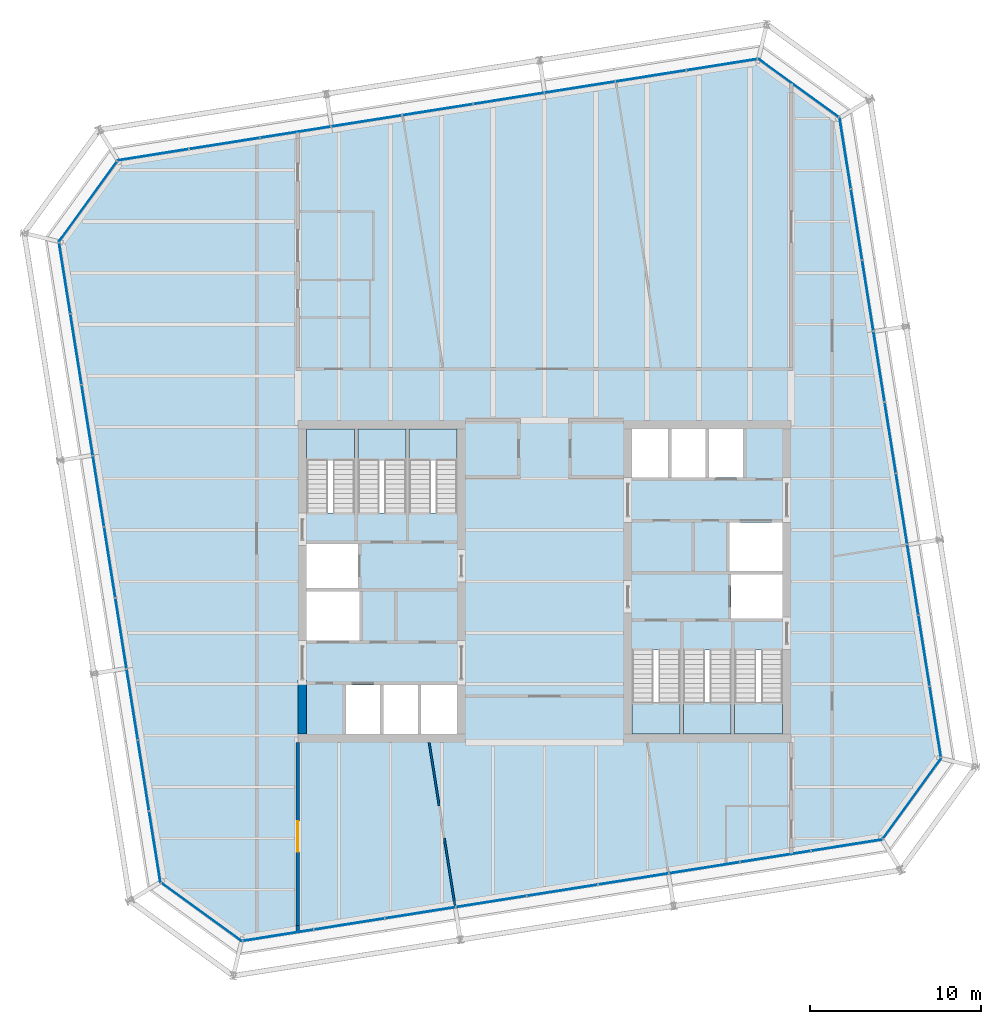
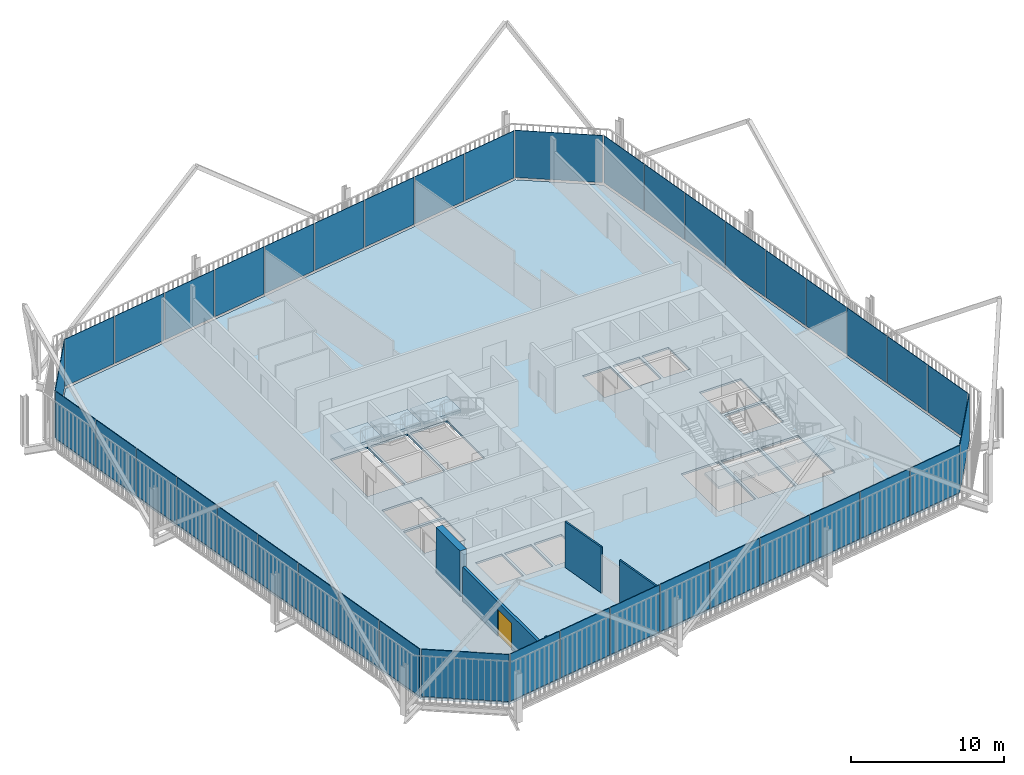
# One storey, part 16 of 21: 40 plates, 7 slabs, 5 walls, 1 door, 1 opening, 14 elements without a shape of their own.
"""IFC4 building model written with IfcOpenShell, lengths in metres."""

from ifc_helpers import new_model, si_unit, direction, frame, frame_2d, origin, place, context, subcontext, project, spatial, polyline, rectangle, outline, extrude, material, layer, layer_set, type_object, element, fill, aggregate, save


model = new_model("IFC4")

# Units and contexts
model_context = context("Model", 3, precision=1e-05, world=origin(), true_north=direction((0.0, 1.0)))
body_context = subcontext(model_context, "Body", "Model", "MODEL_VIEW")
ifc_project = project(units=[si_unit("LENGTHUNIT", "METRE"), si_unit("AREAUNIT", "SQUARE_METRE"), si_unit("VOLUMEUNIT", "CUBIC_METRE"), si_unit("PLANEANGLEUNIT", "RADIAN"), si_unit("MASSUNIT", "GRAM", prefix="KILO")], contexts=[model_context])

# Site, building, storey
site_placement = place(None, origin())
site = spatial("IfcSite", under=ifc_project, at=site_placement, CompositionType="ELEMENT")
building_placement = place(site_placement, origin())
building = spatial("IfcBuilding", under=site, at=building_placement, Name="Millrace Tower", CompositionType="ELEMENT")
storey_placement = place(building_placement, frame((0.0, 0.0, 235.89990234375)))
storey = spatial("IfcBuildingStorey", under=building, at=storey_placement, Name="L54", CompositionType="ELEMENT", Elevation=235.89990234375)

# Curtain wall, plate
ifc_material_1 = material(Name="Aluminium and glass", Category="aluminium")
ifc_layer_1 = layer(ifc_material_1, 0.14990234375)
ifc_layer_set_1 = layer_set([ifc_layer_1], Name="Aluminium and glass")
curtain_wall_type = type_object("IfcCurtainWallType", Name="CW-1 office vision curtain wall", PredefinedType="NOTDEFINED", material=ifc_layer_set_1)
placement_1 = place(storey_placement, origin())
curtain_wall_1 = element("IfcCurtainWall", 1, at=placement_1, inside=storey, type_object=curtain_wall_type, Name="Curtain wall D-F01 L54", PredefinedType="NOTDEFINED")
ifc_material_2 = material(Name="Glass", Category="glass")
ifc_layer_2 = layer(ifc_material_2, 0.0439453125)
ifc_layer_set_2 = layer_set([ifc_layer_2], Name="Glass")
plate_type = type_object("IfcPlateType", Name="CW-1 office vision curtain wall triple-glazed vision panel", PredefinedType="CURTAIN_PANEL", material=ifc_layer_set_2)
placement_2 = place(storey_placement, frame((0.0, 0.0, 0.14013671875)))
plate_1 = element("IfcPlate", 2, at=placement_2, type_object=plate_type, Name="CW1 panel D-F01.1", PredefinedType="CURTAIN_PANEL", context=body_context, shape_type="SweptSolid", body=[
    extrude(outline(polyline([(-22.36474609375, -17.632080078125), (-17.69384765625, -21.025634765625), (-17.6826171875, -20.979248046875), (-22.3388671875, -17.596435546875), (-22.36474609375, -17.632080078125)])), origin(), (0.0, 0.0, 1.0), 3.760009765625),
])
aggregate(curtain_wall_1, [plate_1])

# Curtain wall, plates
curtain_wall_2 = element("IfcCurtainWall", 3, at=placement_1, inside=storey, type_object=curtain_wall_type, Name="Curtain wall D-F02 L54", PredefinedType="NOTDEFINED")
plate_2 = element("IfcPlate", 4, at=placement_2, type_object=plate_type, Name="CW1 panel D-F02.1", PredefinedType="CURTAIN_PANEL", context=body_context, shape_type="SweptSolid", body=[
    extrude(outline(polyline([(-17.58984375, -21.009033203125), (-13.505859375, -20.3623046875), (-13.5126953125, -20.31884765625), (-17.596923828125, -20.965576171875), (-17.58984375, -21.009033203125)])), origin(), (0.0, 0.0, 1.0), 3.760009765625),
])
plate_3 = element("IfcPlate", 5, at=placement_2, type_object=plate_type, Name="CW1 panel D-F02.2", PredefinedType="CURTAIN_PANEL", context=body_context, shape_type="SweptSolid", body=[
    extrude(outline(polyline([(-13.441650390625, -20.35205078125), (-9.357666015625, -19.705078125), (-9.364501953125, -19.66162109375), (-13.448486328125, -20.30859375), (-13.441650390625, -20.35205078125)])), origin(), (0.0, 0.0, 1.0), 3.760009765625),
])
plate_4 = element("IfcPlate", 6, at=placement_2, type_object=plate_type, Name="CW1 panel D-F02.3", PredefinedType="CURTAIN_PANEL", context=body_context, shape_type="SweptSolid", body=[
    extrude(outline(polyline([(-9.29345703125, -19.695068359375), (-5.209228515625, -19.048095703125), (-5.216064453125, -19.004638671875), (-9.30029296875, -19.651611328125), (-9.29345703125, -19.695068359375)])), origin(), (0.0, 0.0, 1.0), 3.760009765625),
])
plate_5 = element("IfcPlate", 7, at=placement_2, type_object=plate_type, Name="CW1 panel D-F02.4", PredefinedType="CURTAIN_PANEL", context=body_context, shape_type="SweptSolid", body=[
    extrude(outline(polyline([(-5.14501953125, -19.0380859375), (-1.06103515625, -18.39111328125), (-1.06787109375, -18.34765625), (-5.15185546875, -18.99462890625), (-5.14501953125, -19.0380859375)])), origin(), (0.0, 0.0, 1.0), 3.760009765625),
])
plate_6 = element("IfcPlate", 8, at=placement_2, type_object=plate_type, Name="CW1 panel D-F02.5", PredefinedType="CURTAIN_PANEL", context=body_context, shape_type="SweptSolid", body=[
    extrude(outline(polyline([(-0.996826171875, -18.380859375), (3.08740234375, -17.734130859375), (3.080322265625, -17.690673828125), (-1.003662109375, -18.33740234375), (-0.996826171875, -18.380859375)])), origin(), (0.0, 0.0, 1.0), 3.760009765625),
])
plate_7 = element("IfcPlate", 9, at=placement_2, type_object=plate_type, Name="CW1 panel D-F02.6", PredefinedType="CURTAIN_PANEL", context=body_context, shape_type="SweptSolid", body=[
    extrude(outline(polyline([(3.151611328125, -17.723876953125), (7.235595703125, -17.0771484375), (7.228759765625, -17.03369140625), (3.14453125, -17.680419921875), (3.151611328125, -17.723876953125)])), origin(), (0.0, 0.0, 1.0), 3.760009765625),
])
plate_8 = element("IfcPlate", 10, at=placement_2, type_object=plate_type, Name="CW1 panel D-F02.7", PredefinedType="CURTAIN_PANEL", context=body_context, shape_type="SweptSolid", body=[
    extrude(outline(polyline([(7.2998046875, -17.06689453125), (11.3837890625, -16.420166015625), (11.376953125, -16.376708984375), (7.29296875, -17.0234375), (7.2998046875, -17.06689453125)])), origin(), (0.0, 0.0, 1.0), 3.760009765625),
])
plate_9 = element("IfcPlate", 11, at=placement_2, type_object=plate_type, Name="CW1 panel D-F02.8", PredefinedType="CURTAIN_PANEL", context=body_context, shape_type="SweptSolid", body=[
    extrude(outline(polyline([(11.447998046875, -16.409912109375), (15.5322265625, -15.762939453125), (15.525390625, -15.719482421875), (11.441162109375, -16.366455078125), (11.447998046875, -16.409912109375)])), origin(), (0.0, 0.0, 1.0), 3.760009765625),
])
plate_10 = element("IfcPlate", 12, at=placement_2, type_object=plate_type, Name="CW1 panel D-F02.9", PredefinedType="CURTAIN_PANEL", context=body_context, shape_type="SweptSolid", body=[
    extrude(outline(polyline([(15.596435546875, -15.7529296875), (19.72021484375, -15.099853515625), (19.6953125, -15.05908203125), (15.589599609375, -15.70947265625), (15.596435546875, -15.7529296875)])), origin(), (0.0, 0.0, 1.0), 3.760009765625),
])
aggregate(curtain_wall_2, [plate_2, plate_3, plate_4, plate_5, plate_6, plate_7, plate_8, plate_9, plate_10])

# Curtain wall, plate
curtain_wall_3 = element("IfcCurtainWall", 13, at=placement_1, inside=storey, type_object=curtain_wall_type, Name="Curtain wall D-F03 L54", PredefinedType="NOTDEFINED")
plate_11 = element("IfcPlate", 14, at=placement_2, type_object=plate_type, Name="CW1 panel D-F03.1", PredefinedType="CURTAIN_PANEL", context=body_context, shape_type="SweptSolid", body=[
    extrude(outline(polyline([(19.781982421875, -15.0146484375), (23.175537109375, -10.34375), (23.129150390625, -10.332763671875), (19.746337890625, -14.98876953125), (19.781982421875, -15.0146484375)])), origin(), (0.0, 0.0, 1.0), 3.760009765625),
])
aggregate(curtain_wall_3, [plate_11])

# Curtain wall, plates
curtain_wall_4 = element("IfcCurtainWall", 15, at=placement_1, inside=storey, type_object=curtain_wall_type, Name="Curtain wall D-F04 L54", PredefinedType="NOTDEFINED")
plate_12 = element("IfcPlate", 16, at=placement_2, type_object=plate_type, Name="CW1 panel D-F04.1", PredefinedType="CURTAIN_PANEL", context=body_context, shape_type="SweptSolid", body=[
    extrude(outline(polyline([(23.1591796875, -10.239990234375), (22.51220703125, -6.15576171875), (22.46875, -6.162841796875), (23.11572265625, -10.246826171875), (23.1591796875, -10.239990234375)])), origin(), (0.0, 0.0, 1.0), 3.760009765625),
])
plate_13 = element("IfcPlate", 17, at=placement_2, type_object=plate_type, Name="CW1 panel D-F04.2", PredefinedType="CURTAIN_PANEL", context=body_context, shape_type="SweptSolid", body=[
    extrude(outline(polyline([(22.501953125, -6.091552734375), (21.855224609375, -2.007568359375), (21.811767578125, -2.014404296875), (22.45849609375, -6.0986328125), (22.501953125, -6.091552734375)])), origin(), (0.0, 0.0, 1.0), 3.760009765625),
])
plate_14 = element("IfcPlate", 18, at=placement_2, type_object=plate_type, Name="CW1 panel D-F04.3", PredefinedType="CURTAIN_PANEL", context=body_context, shape_type="SweptSolid", body=[
    extrude(outline(polyline([(21.844970703125, -1.943359375), (21.1982421875, 2.140625), (21.15478515625, 2.1337890625), (21.801513671875, -1.9501953125), (21.844970703125, -1.943359375)])), origin(), (0.0, 0.0, 1.0), 3.760009765625),
])
plate_15 = element("IfcPlate", 19, at=placement_2, type_object=plate_type, Name="CW1 panel D-F04.4", PredefinedType="CURTAIN_PANEL", context=body_context, shape_type="SweptSolid", body=[
    extrude(outline(polyline([(21.18798828125, 2.204833984375), (20.541259765625, 6.2890625), (20.497802734375, 6.2822265625), (21.14453125, 2.197998046875), (21.18798828125, 2.204833984375)])), origin(), (0.0, 0.0, 1.0), 3.760009765625),
])
plate_16 = element("IfcPlate", 20, at=placement_2, type_object=plate_type, Name="CW1 panel D-F04.5", PredefinedType="CURTAIN_PANEL", context=body_context, shape_type="SweptSolid", body=[
    extrude(outline(polyline([(20.531005859375, 6.353271484375), (19.884033203125, 10.437255859375), (19.840576171875, 10.430419921875), (20.487548828125, 6.346435546875), (20.531005859375, 6.353271484375)])), origin(), (0.0, 0.0, 1.0), 3.760009765625),
])
plate_17 = element("IfcPlate", 21, at=placement_2, type_object=plate_type, Name="CW1 panel D-F04.6", PredefinedType="CURTAIN_PANEL", context=body_context, shape_type="SweptSolid", body=[
    extrude(outline(polyline([(19.8740234375, 10.50146484375), (19.22705078125, 14.585693359375), (19.18359375, 14.57861328125), (19.83056640625, 10.49462890625), (19.8740234375, 10.50146484375)])), origin(), (0.0, 0.0, 1.0), 3.760009765625),
])
plate_18 = element("IfcPlate", 22, at=placement_2, type_object=plate_type, Name="CW1 panel D-F04.7", PredefinedType="CURTAIN_PANEL", context=body_context, shape_type="SweptSolid", body=[
    extrude(outline(polyline([(19.217041015625, 14.64990234375), (18.570068359375, 18.73388671875), (18.526611328125, 18.72705078125), (19.173583984375, 14.642822265625), (19.217041015625, 14.64990234375)])), origin(), (0.0, 0.0, 1.0), 3.760009765625),
])
plate_19 = element("IfcPlate", 23, at=placement_2, type_object=plate_type, Name="CW1 panel D-F04.8", PredefinedType="CURTAIN_PANEL", context=body_context, shape_type="SweptSolid", body=[
    extrude(outline(polyline([(18.559814453125, 18.798095703125), (17.9130859375, 22.882080078125), (17.86962890625, 22.875244140625), (18.516357421875, 18.791259765625), (18.559814453125, 18.798095703125)])), origin(), (0.0, 0.0, 1.0), 3.760009765625),
])
plate_20 = element("IfcPlate", 24, at=placement_2, type_object=plate_type, Name="CW1 panel D-F04.9", PredefinedType="CURTAIN_PANEL", context=body_context, shape_type="SweptSolid", body=[
    extrude(outline(polyline([(17.90283203125, 22.9462890625), (17.249755859375, 27.070068359375), (17.209228515625, 27.045166015625), (17.859375, 22.939453125), (17.90283203125, 22.9462890625)])), origin(), (0.0, 0.0, 1.0), 3.760009765625),
])
aggregate(curtain_wall_4, [plate_12, plate_13, plate_14, plate_15, plate_16, plate_17, plate_18, plate_19, plate_20])

# Curtain wall, plate
curtain_wall_5 = element("IfcCurtainWall", 25, at=placement_1, inside=storey, type_object=curtain_wall_type, Name="Curtain wall D-F05 L54", PredefinedType="NOTDEFINED")
plate_21 = element("IfcPlate", 26, at=placement_2, type_object=plate_type, Name="CW1 panel D-F05.1", PredefinedType="CURTAIN_PANEL", context=body_context, shape_type="SweptSolid", body=[
    extrude(outline(polyline([(17.16455078125, 27.132080078125), (12.493896484375, 30.525634765625), (12.482666015625, 30.479248046875), (17.138671875, 27.096435546875), (17.16455078125, 27.132080078125)])), origin(), (0.0, 0.0, 1.0), 3.760009765625),
])
aggregate(curtain_wall_5, [plate_21])

# Curtain wall, plates
curtain_wall_6 = element("IfcCurtainWall", 27, at=placement_1, inside=storey, type_object=curtain_wall_type, Name="Curtain wall D-F06 L54", PredefinedType="NOTDEFINED")
plate_22 = element("IfcPlate", 28, at=placement_2, type_object=plate_type, Name="CW1 panel D-F06.1", PredefinedType="CURTAIN_PANEL", context=body_context, shape_type="SweptSolid", body=[
    extrude(outline(polyline([(12.389892578125, 30.509033203125), (8.305908203125, 29.8623046875), (8.312744140625, 29.81884765625), (12.396728515625, 30.465576171875), (12.389892578125, 30.509033203125)])), origin(), (0.0, 0.0, 1.0), 3.760009765625),
])
plate_23 = element("IfcPlate", 29, at=placement_2, type_object=plate_type, Name="CW1 panel D-F06.2", PredefinedType="CURTAIN_PANEL", context=body_context, shape_type="SweptSolid", body=[
    extrude(outline(polyline([(8.24169921875, 29.85205078125), (4.157470703125, 29.205078125), (4.16455078125, 29.16162109375), (8.24853515625, 29.80859375), (8.24169921875, 29.85205078125)])), origin(), (0.0, 0.0, 1.0), 3.760009765625),
])
plate_24 = element("IfcPlate", 30, at=placement_2, type_object=plate_type, Name="CW1 panel D-F06.3", PredefinedType="CURTAIN_PANEL", context=body_context, shape_type="SweptSolid", body=[
    extrude(outline(polyline([(4.09326171875, 29.195068359375), (0.00927734375, 28.548095703125), (0.01611328125, 28.504638671875), (4.100341796875, 29.151611328125), (4.09326171875, 29.195068359375)])), origin(), (0.0, 0.0, 1.0), 3.760009765625),
])
plate_25 = element("IfcPlate", 31, at=placement_2, type_object=plate_type, Name="CW1 panel D-F06.4", PredefinedType="CURTAIN_PANEL", context=body_context, shape_type="SweptSolid", body=[
    extrude(outline(polyline([(-0.054931640625, 28.5380859375), (-4.138916015625, 27.89111328125), (-4.132080078125, 27.84765625), (-0.048095703125, 28.49462890625), (-0.054931640625, 28.5380859375)])), origin(), (0.0, 0.0, 1.0), 3.760009765625),
])
plate_26 = element("IfcPlate", 32, at=placement_2, type_object=plate_type, Name="CW1 panel D-F06.5", PredefinedType="CURTAIN_PANEL", context=body_context, shape_type="SweptSolid", body=[
    extrude(outline(polyline([(-4.203125, 27.880859375), (-8.287353515625, 27.234130859375), (-8.280517578125, 27.190673828125), (-4.1962890625, 27.83740234375), (-4.203125, 27.880859375)])), origin(), (0.0, 0.0, 1.0), 3.760009765625),
])
plate_27 = element("IfcPlate", 33, at=placement_2, type_object=plate_type, Name="CW1 panel D-F06.6", PredefinedType="CURTAIN_PANEL", context=body_context, shape_type="SweptSolid", body=[
    extrude(outline(polyline([(-8.3515625, 27.223876953125), (-12.435546875, 26.5771484375), (-12.4287109375, 26.53369140625), (-8.3447265625, 27.180419921875), (-8.3515625, 27.223876953125)])), origin(), (0.0, 0.0, 1.0), 3.760009765625),
])
plate_28 = element("IfcPlate", 34, at=placement_2, type_object=plate_type, Name="CW1 panel D-F06.7", PredefinedType="CURTAIN_PANEL", context=body_context, shape_type="SweptSolid", body=[
    extrude(outline(polyline([(-12.499755859375, 26.56689453125), (-16.583984375, 25.920166015625), (-16.576904296875, 25.876708984375), (-12.492919921875, 26.5234375), (-12.499755859375, 26.56689453125)])), origin(), (0.0, 0.0, 1.0), 3.760009765625),
])
plate_29 = element("IfcPlate", 35, at=placement_2, type_object=plate_type, Name="CW1 panel D-F06.8", PredefinedType="CURTAIN_PANEL", context=body_context, shape_type="SweptSolid", body=[
    extrude(outline(polyline([(-16.648193359375, 25.909912109375), (-20.732177734375, 25.262939453125), (-20.725341796875, 25.219482421875), (-16.64111328125, 25.866455078125), (-16.648193359375, 25.909912109375)])), origin(), (0.0, 0.0, 1.0), 3.760009765625),
])
plate_30 = element("IfcPlate", 36, at=placement_2, type_object=plate_type, Name="CW1 panel D-F06.9", PredefinedType="CURTAIN_PANEL", context=body_context, shape_type="SweptSolid", body=[
    extrude(outline(polyline([(-20.79638671875, 25.2529296875), (-24.920166015625, 24.599853515625), (-24.895263671875, 24.55908203125), (-20.78955078125, 25.20947265625), (-20.79638671875, 25.2529296875)])), origin(), (0.0, 0.0, 1.0), 3.760009765625),
])
aggregate(curtain_wall_6, [plate_22, plate_23, plate_24, plate_25, plate_26, plate_27, plate_28, plate_29, plate_30])

# Curtain wall, plate
curtain_wall_7 = element("IfcCurtainWall", 37, at=placement_1, inside=storey, type_object=curtain_wall_type, Name="Curtain wall D-F07 L54", PredefinedType="NOTDEFINED")
plate_31 = element("IfcPlate", 38, at=placement_2, type_object=plate_type, Name="CW1 panel D-F07.1", PredefinedType="CURTAIN_PANEL", context=body_context, shape_type="SweptSolid", body=[
    extrude(outline(polyline([(-24.98193359375, 24.5146484375), (-28.37548828125, 19.84375), (-28.329345703125, 19.832763671875), (-24.9462890625, 24.48876953125), (-24.98193359375, 24.5146484375)])), origin(), (0.0, 0.0, 1.0), 3.760009765625),
])
aggregate(curtain_wall_7, [plate_31])

# Curtain wall, plates
curtain_wall_8 = element("IfcCurtainWall", 39, at=placement_1, inside=storey, type_object=curtain_wall_type, Name="Curtain wall D-F08 L54", PredefinedType="NOTDEFINED")
plate_32 = element("IfcPlate", 40, at=placement_2, type_object=plate_type, Name="CW1 panel D-F08.1", PredefinedType="CURTAIN_PANEL", context=body_context, shape_type="SweptSolid", body=[
    extrude(outline(polyline([(-28.359130859375, 19.739990234375), (-27.712158203125, 15.65576171875), (-27.668701171875, 15.662841796875), (-28.315673828125, 19.746826171875), (-28.359130859375, 19.739990234375)])), origin(), (0.0, 0.0, 1.0), 3.760009765625),
])
plate_33 = element("IfcPlate", 41, at=placement_2, type_object=plate_type, Name="CW1 panel D-F08.2", PredefinedType="CURTAIN_PANEL", context=body_context, shape_type="SweptSolid", body=[
    extrude(outline(polyline([(-27.7021484375, 15.591552734375), (-27.05517578125, 11.507568359375), (-27.01171875, 11.514404296875), (-27.65869140625, 15.5986328125), (-27.7021484375, 15.591552734375)])), origin(), (0.0, 0.0, 1.0), 3.760009765625),
])
plate_34 = element("IfcPlate", 42, at=placement_2, type_object=plate_type, Name="CW1 panel D-F08.3", PredefinedType="CURTAIN_PANEL", context=body_context, shape_type="SweptSolid", body=[
    extrude(outline(polyline([(-27.044921875, 11.443359375), (-26.398193359375, 7.359375), (-26.354736328125, 7.3662109375), (-27.00146484375, 11.4501953125), (-27.044921875, 11.443359375)])), origin(), (0.0, 0.0, 1.0), 3.760009765625),
])
plate_35 = element("IfcPlate", 43, at=placement_2, type_object=plate_type, Name="CW1 panel D-F08.4", PredefinedType="CURTAIN_PANEL", context=body_context, shape_type="SweptSolid", body=[
    extrude(outline(polyline([(-26.387939453125, 7.295166015625), (-25.7412109375, 3.2109375), (-25.69775390625, 3.2177734375), (-26.344482421875, 7.302001953125), (-26.387939453125, 7.295166015625)])), origin(), (0.0, 0.0, 1.0), 3.760009765625),
])
plate_36 = element("IfcPlate", 44, at=placement_2, type_object=plate_type, Name="CW1 panel D-F08.5", PredefinedType="CURTAIN_PANEL", context=body_context, shape_type="SweptSolid", body=[
    extrude(outline(polyline([(-25.73095703125, 3.146728515625), (-25.084228515625, -0.937255859375), (-25.040771484375, -0.930419921875), (-25.6875, 3.153564453125), (-25.73095703125, 3.146728515625)])), origin(), (0.0, 0.0, 1.0), 3.760009765625),
])
plate_37 = element("IfcPlate", 45, at=placement_2, type_object=plate_type, Name="CW1 panel D-F08.6", PredefinedType="CURTAIN_PANEL", context=body_context, shape_type="SweptSolid", body=[
    extrude(outline(polyline([(-25.073974609375, -1.00146484375), (-24.427001953125, -5.085693359375), (-24.383544921875, -5.07861328125), (-25.030517578125, -0.99462890625), (-25.073974609375, -1.00146484375)])), origin(), (0.0, 0.0, 1.0), 3.760009765625),
])
plate_38 = element("IfcPlate", 46, at=placement_2, type_object=plate_type, Name="CW1 panel D-F08.7", PredefinedType="CURTAIN_PANEL", context=body_context, shape_type="SweptSolid", body=[
    extrude(outline(polyline([(-24.4169921875, -5.14990234375), (-23.77001953125, -9.23388671875), (-23.7265625, -9.22705078125), (-24.37353515625, -5.142822265625), (-24.4169921875, -5.14990234375)])), origin(), (0.0, 0.0, 1.0), 3.760009765625),
])
plate_39 = element("IfcPlate", 47, at=placement_2, type_object=plate_type, Name="CW1 panel D-F08.8", PredefinedType="CURTAIN_PANEL", context=body_context, shape_type="SweptSolid", body=[
    extrude(outline(polyline([(-23.760009765625, -9.298095703125), (-23.113037109375, -13.382080078125), (-23.069580078125, -13.375244140625), (-23.716552734375, -9.291259765625), (-23.760009765625, -9.298095703125)])), origin(), (0.0, 0.0, 1.0), 3.760009765625),
])
plate_40 = element("IfcPlate", 48, at=placement_2, type_object=plate_type, Name="CW1 panel D-F08.9", PredefinedType="CURTAIN_PANEL", context=body_context, shape_type="SweptSolid", body=[
    extrude(outline(polyline([(-23.102783203125, -13.4462890625), (-22.44970703125, -17.570068359375), (-22.4091796875, -17.545166015625), (-23.059326171875, -13.439453125), (-23.102783203125, -13.4462890625)])), origin(), (0.0, 0.0, 1.0), 3.760009765625),
])
aggregate(curtain_wall_8, [plate_32, plate_33, plate_34, plate_35, plate_36, plate_37, plate_38, plate_39, plate_40])

# Slab
ifc_material_3 = material(Name="Concrete C35 on steel deck", Category="concrete")
ifc_layer_3 = layer(ifc_material_3, 0.159912109375)
ifc_layer_set_3 = layer_set([ifc_layer_3], Name="Concrete C35 on steel deck")
slab_type_1 = type_object("IfcSlabType", Name="Composite floor slab 160 mm", PredefinedType="FLOOR", material=ifc_layer_set_3)
slab_1_placement = place(storey_placement, frame((0.0, 0.0, -0.159912109375)))
element("IfcSlab", 49, at=slab_1_placement, inside=storey, type_object=slab_type_1, Name="SL-D-L54-S1", PredefinedType="FLOOR", context=body_context, shape_type="SweptSolid", body=[
    extrude(outline(polyline([(-22.360107421875, -17.515380859375), (-17.66943359375, -20.92333984375), (19.665283203125, -15.01025390625), (23.073486328125, -10.3193359375), (17.16015625, 27.015380859375), (12.46923828125, 30.42333984375), (-24.865234375, 24.51025390625), (-28.2734375, 19.8193359375), (-22.360107421875, -17.515380859375)]), holes=[polyline([(-11.60009765625, -8.89990234375), (-9.60009765625, -8.89990234375), (-9.60009765625, -6.050048828125), (-11.60009765625, -6.050048828125), (-11.60009765625, -8.89990234375)]), polyline([(-9.39990234375, -8.89990234375), (-7.39990234375, -8.89990234375), (-7.39990234375, -6.050048828125), (-9.39990234375, -6.050048828125), (-9.39990234375, -8.89990234375)]), polyline([(-7.199951171875, -8.89990234375), (-5.10009765625, -8.89990234375), (-5.10009765625, -6.050048828125), (-7.199951171875, -6.050048828125), (-7.199951171875, -8.89990234375)]), polyline([(-13.89990234375, -3.449951171875), (-10.800048828125, -3.449951171875), (-10.800048828125, -0.60009765625), (-13.89990234375, -0.60009765625), (-13.89990234375, -3.449951171875)]), polyline([(-13.89990234375, -0.39990234375), (-10.89990234375, -0.39990234375), (-10.89990234375, 2.179931640625), (-13.89990234375, 2.179931640625), (-13.89990234375, -0.39990234375)]), polyline([(-13.89990234375, 4.0), (-11.10009765625, 4.0), (-11.10009765625, 8.89990234375), (-13.89990234375, 8.89990234375), (-13.89990234375, 4.0)]), polyline([(-10.89990234375, 4.0), (-8.10009765625, 4.0), (-8.10009765625, 8.89990234375), (-10.89990234375, 8.89990234375), (-10.89990234375, 4.0)]), polyline([(-7.89990234375, 4.0), (-5.10009765625, 4.0), (-5.10009765625, 8.89990234375), (-7.89990234375, 8.89990234375), (-7.89990234375, 4.0)]), polyline([(9.60009765625, 6.050048828125), (11.60009765625, 6.050048828125), (11.60009765625, 8.89990234375), (9.60009765625, 8.89990234375), (9.60009765625, 6.050048828125)]), polyline([(7.39990234375, 6.050048828125), (9.39990234375, 6.050048828125), (9.39990234375, 8.89990234375), (7.39990234375, 8.89990234375), (7.39990234375, 6.050048828125)]), polyline([(5.10009765625, 6.050048828125), (7.199951171875, 6.050048828125), (7.199951171875, 8.89990234375), (5.10009765625, 8.89990234375), (5.10009765625, 6.050048828125)]), polyline([(10.800048828125, 0.60009765625), (13.89990234375, 0.60009765625), (13.89990234375, 3.449951171875), (10.800048828125, 3.449951171875), (10.800048828125, 0.60009765625)]), polyline([(10.89990234375, -2.179931640625), (13.89990234375, -2.179931640625), (13.89990234375, 0.39990234375), (10.89990234375, 0.39990234375), (10.89990234375, -2.179931640625)]), polyline([(11.10009765625, -8.89990234375), (13.89990234375, -8.89990234375), (13.89990234375, -4.0), (11.10009765625, -4.0), (11.10009765625, -8.89990234375)]), polyline([(8.10009765625, -8.89990234375), (10.89990234375, -8.89990234375), (10.89990234375, -4.0), (8.10009765625, -4.0), (8.10009765625, -8.89990234375)]), polyline([(5.10009765625, -8.89990234375), (7.89990234375, -8.89990234375), (7.89990234375, -4.0), (5.10009765625, -4.0), (5.10009765625, -8.89990234375)])]), origin(), (0.0, 0.0, 1.0), 0.159912109375),
])

# Stair, slab
ifc_material_4 = material(Name="Concrete C35", Category="concrete")
stair_type = type_object("IfcStairType", Name="Exit stair", PredefinedType="HALF_TURN_STAIR", material=ifc_material_4)
stair_1 = element("IfcStair", 50, at=placement_1, inside=storey, type_object=stair_type, Name="Stair 1 W L54", PredefinedType="HALF_TURN_STAIR")
ifc_material_5 = material(Name="Concrete C40", Category="concrete")
ifc_layer_4 = layer(ifc_material_5, 0.199951171875)
ifc_layer_set_4 = layer_set([ifc_layer_4], Name="Concrete C40")
slab_type_2 = type_object("IfcSlabType", Name="Stair landing", PredefinedType="LANDING", material=ifc_layer_set_4)
placement_3 = place(storey_placement, frame((0.0, 0.0, 1.75)))
slab_2 = element("IfcSlab", 51, at=placement_3, type_object=slab_type_2, Name="ST12 landing 1", PredefinedType="LANDING", context=body_context, shape_type="SweptSolid", body=[
    extrude(outline(polyline([(-13.89990234375, 7.080078125), (-11.10009765625, 7.080078125), (-11.10009765625, 8.89990234375), (-13.89990234375, 8.89990234375), (-13.89990234375, 7.080078125)])), origin(), (0.0, 0.0, 1.0), 0.2001953125),
])
aggregate(stair_1, [slab_2])

stair_2 = element("IfcStair", 52, at=placement_1, inside=storey, type_object=stair_type, Name="Stair 2 W L54", PredefinedType="HALF_TURN_STAIR")
slab_3 = element("IfcSlab", 53, at=placement_3, type_object=slab_type_2, Name="ST12 landing 1", PredefinedType="LANDING", context=body_context, shape_type="SweptSolid", body=[
    extrude(outline(polyline([(-10.89990234375, 7.080078125), (-8.10009765625, 7.080078125), (-8.10009765625, 8.89990234375), (-10.89990234375, 8.89990234375), (-10.89990234375, 7.080078125)])), origin(), (0.0, 0.0, 1.0), 0.2001953125),
])
aggregate(stair_2, [slab_3])

stair_3 = element("IfcStair", 54, at=placement_1, inside=storey, type_object=stair_type, Name="Stair 3 W L54", PredefinedType="HALF_TURN_STAIR")
slab_4 = element("IfcSlab", 55, at=placement_3, type_object=slab_type_2, Name="ST12 landing 1", PredefinedType="LANDING", context=body_context, shape_type="SweptSolid", body=[
    extrude(outline(polyline([(-7.89990234375, 7.080078125), (-5.10009765625, 7.080078125), (-5.10009765625, 8.89990234375), (-7.89990234375, 8.89990234375), (-7.89990234375, 7.080078125)])), origin(), (0.0, 0.0, 1.0), 0.2001953125),
])
aggregate(stair_3, [slab_4])

stair_4 = element("IfcStair", 56, at=placement_1, inside=storey, type_object=stair_type, Name="Stair 1 E L54", PredefinedType="HALF_TURN_STAIR")
slab_5 = element("IfcSlab", 57, at=placement_3, type_object=slab_type_2, Name="ST12 landing 1", PredefinedType="LANDING", context=body_context, shape_type="SweptSolid", body=[
    extrude(outline(polyline([(11.10009765625, -8.89990234375), (13.89990234375, -8.89990234375), (13.89990234375, -7.080078125), (11.10009765625, -7.080078125), (11.10009765625, -8.89990234375)])), origin(), (0.0, 0.0, 1.0), 0.2001953125),
])
aggregate(stair_4, [slab_5])

stair_5 = element("IfcStair", 58, at=placement_1, inside=storey, type_object=stair_type, Name="Stair 2 E L54", PredefinedType="HALF_TURN_STAIR")
slab_6 = element("IfcSlab", 59, at=placement_3, type_object=slab_type_2, Name="ST12 landing 1", PredefinedType="LANDING", context=body_context, shape_type="SweptSolid", body=[
    extrude(outline(polyline([(8.10009765625, -8.89990234375), (10.89990234375, -8.89990234375), (10.89990234375, -7.080078125), (8.10009765625, -7.080078125), (8.10009765625, -8.89990234375)])), origin(), (0.0, 0.0, 1.0), 0.2001953125),
])
aggregate(stair_5, [slab_6])

stair_6 = element("IfcStair", 60, at=placement_1, inside=storey, type_object=stair_type, Name="Stair 3 E L54", PredefinedType="HALF_TURN_STAIR")
slab_7 = element("IfcSlab", 61, at=placement_3, type_object=slab_type_2, Name="ST12 landing 1", PredefinedType="LANDING", context=body_context, shape_type="SweptSolid", body=[
    extrude(outline(polyline([(5.10009765625, -8.89990234375), (7.89990234375, -8.89990234375), (7.89990234375, -7.080078125), (5.10009765625, -7.080078125), (5.10009765625, -8.89990234375)])), origin(), (0.0, 0.0, 1.0), 0.2001953125),
])
aggregate(stair_6, [slab_7])

# Walls
ifc_material_6 = material(Name="Concrete C60", Category="concrete")
ifc_layer_5 = layer(ifc_material_6, 0.5)
ifc_layer_set_5 = layer_set([ifc_layer_5], Name="Concrete C60")
wall_type_1 = type_object("IfcWallType", Name="Core wall 500 Concrete C60", PredefinedType="SHEAR", material=ifc_layer_set_5)
wall_1_placement = place(storey_placement, frame((-14.14990234375, -8.89990234375, 0.0), z_axis=(0.0, 0.0, 1.0), x_axis=(0.0, 1.0, 0.0)))
element("IfcWall", 62, at=wall_1_placement, inside=storey, type_object=wall_type_1, Name="Core wall W L54", PredefinedType="SHEAR", context=body_context, shape_type="SweptSolid", body=[
    extrude(rectangle(XDim=3.14990234375, YDim=0.5, at=frame_2d((1.574951171875, 0.0))), origin(), (0.0, 0.0, 1.0), 3.650146484375),
])
ifc_material_7 = material(Name="Masonry partition, fire-rated", Category="masonry")
ifc_layer_6 = layer(ifc_material_7, 0.199951171875)
ifc_layer_set_6 = layer_set([ifc_layer_6], Name="Masonry partition, fire-rated")
wall_type_2 = type_object("IfcWallType", Name="Corridor wall 200", PredefinedType="PARTITIONING", material=ifc_layer_set_6)
wall_2_placement = place(storey_placement, frame((-14.39990234375, -20.43603515625, 0.0), z_axis=(0.0, 0.0, 1.0), x_axis=(0.0, 1.0, 0.0)))
element("IfcWall", 63, at=wall_2_placement, inside=storey, type_object=wall_type_2, Name="Corridor wall L54", PredefinedType="PARTITIONING", context=body_context, shape_type="SweptSolid", body=[
    extrude(rectangle(XDim=0.349609375, YDim=0.199951171875, at=frame_2d((0.1748046875, 0.0))), origin(), (0.0, 0.0, 1.0), 3.650146484375),
])

# Wall, opening, door
wall_3_placement = place(storey_placement, frame((-14.39990234375, -20.08642578125, 0.0), z_axis=(0.0, 0.0, 1.0), x_axis=(0.0, 1.0, 0.0)))
wall_3 = element("IfcWall", 64, at=wall_3_placement, inside=storey, type_object=wall_type_2, Name="Corridor wall L54", PredefinedType="PARTITIONING", context=body_context, shape_type="SweptSolid", body=[
    extrude(rectangle(XDim=10.6865234375, YDim=0.199951171875, at=frame_2d((5.34326171875, 0.0))), origin(), (0.0, 0.0, 1.0), 2.722900390625),
])
opening_placement = place(wall_3_placement, frame((4.2939453125, 0.0, 0.0)))
opening = element("IfcOpeningElement", 65, at=opening_placement, cuts=wall_3, Name="Opening 54-P012", PredefinedType="OPENING", context=body_context, shape_type="SweptSolid", body=[
    extrude(rectangle(XDim=1.800048828125, YDim=2.10009765625, at=frame_2d((0.89990234375, 1.050048828125))), frame((0.0, 0.10986328125, 0.0), z_axis=(0.0, -1.0, 0.0), x_axis=(1.0, 0.0, 0.0)), (0.0, 0.0, 1.0), 0.219970703125),
])
ifc_material_8 = material(Name="Steel door set, fire-rated", Category="steel")
door_type = type_object("IfcDoorType", Name="Corridor door 1800 x 2100", OperationType="DOUBLE_DOOR_SINGLE_SWING", PredefinedType="DOOR", material=ifc_material_8)
door_placement = place(opening_placement, frame((1.800048828125, 0.0, 0.0), z_axis=(0.0, 0.0, 1.0), x_axis=(-1.0, 0.0, 0.0)))
door = element("IfcDoor", 66, at=door_placement, inside=storey, type_object=door_type, Name="Door 54-P012", OperationType="DOUBLE_DOOR_SINGLE_SWING", OverallHeight=2.10009765625, OverallWidth=1.800048828125, PredefinedType="DOOR", context=body_context, shape_type="SweptSolid", body=[
    extrude(rectangle(XDim=1.800048828125, YDim=2.10009765625, at=frame_2d((0.89990234375, 1.050048828125))), frame((0.0, 0.02490234375, 0.0), z_axis=(0.0, -1.0, 0.0), x_axis=(1.0, 0.0, 0.0)), (0.0, 0.0, 1.0), 0.050048828125),
])
fill(opening, door)

# Walls
ifc_material_9 = material(Name="Gypsum board partition")
ifc_layer_7 = layer(ifc_material_9, 0.1201171875)
ifc_layer_set_7 = layer_set([ifc_layer_7], Name="Gypsum board partition")
wall_type_3 = type_object("IfcWallType", Name="Partition wall 120", PredefinedType="PARTITIONING", material=ifc_layer_set_7)
wall_4_placement = place(storey_placement, frame((-6.737060546875, -9.39990234375, 0.0), z_axis=(0.0, 0.0, 1.0), x_axis=(0.156382059487, -0.987696639394, 0.0)))
element("IfcWall", 67, at=wall_4_placement, inside=storey, type_object=wall_type_3, Name="Partition wall L54", PredefinedType="PARTITIONING", context=body_context, shape_type="SweptSolid", body=[
    extrude(rectangle(XDim=3.765625, YDim=0.1201171875, at=frame_2d((1.8828125, 0.0))), origin(), (0.0, 0.0, 1.0), 3.650146484375),
])
wall_5_placement = place(storey_placement, frame((-5.851806640625, -14.99267578125, 0.0), z_axis=(0.0, 0.0, 1.0), x_axis=(0.15636605837, -0.987699172719, 0.0)))
element("IfcWall", 68, at=wall_5_placement, inside=storey, type_object=wall_type_3, Name="Partition wall L54", PredefinedType="PARTITIONING", context=body_context, shape_type="SweptSolid", body=[
    extrude(rectangle(XDim=4.039306640625, YDim=0.1201171875, at=frame_2d((2.01953125, 0.0))), origin(), (0.0, 0.0, 1.0), 3.650146484375),
])

save(model, "model.ifc")
